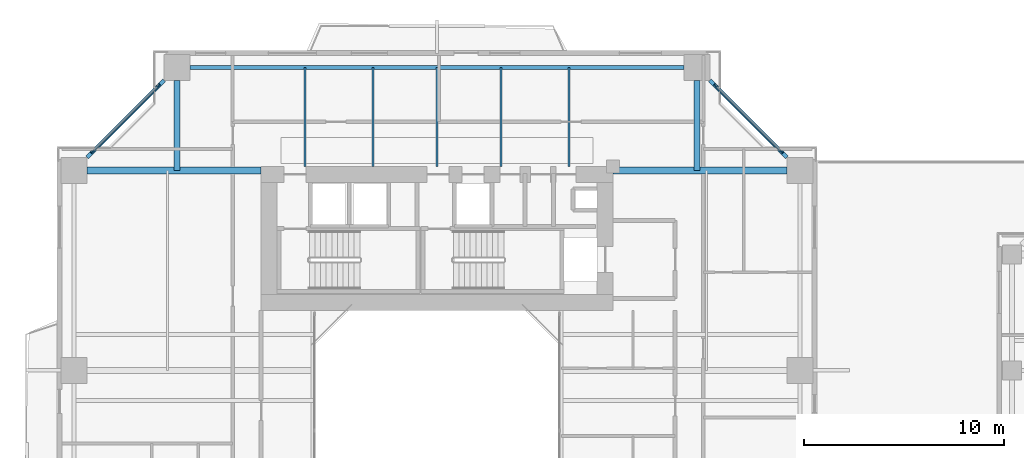
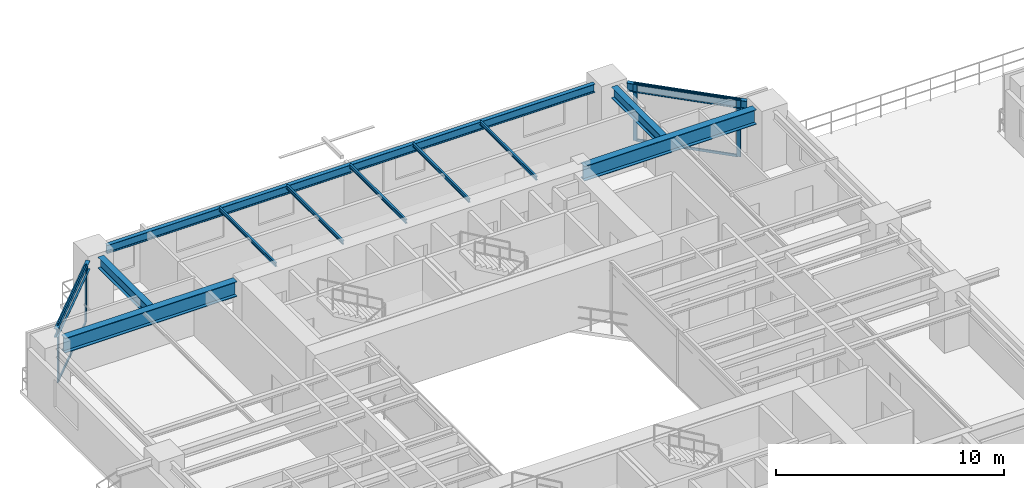
# One storey, part 7 of 22: 12 beams, 8 members, 2 elements without a shape of their own.
"""IFC4 building model written with IfcOpenShell, lengths in metres."""

from ifc_helpers import new_model, si_unit, direction, frame, origin, origin_2d, place, context, subcontext, project, spatial, rectangle, i_section, extrude, source, transform, mapped, material, layer, layer_set, material_profile, profile_set, type_object, element, aggregate, save


model = new_model("IFC4")

# Units and contexts
model_context = context("Model", 3, precision=1e-05, world=origin(), true_north=direction((0.0, 1.0)))
body_context = subcontext(model_context, "Body", "Model", "MODEL_VIEW")
ifc_project = project(units=[si_unit("LENGTHUNIT", "METRE"), si_unit("AREAUNIT", "SQUARE_METRE"), si_unit("VOLUMEUNIT", "CUBIC_METRE"), si_unit("PLANEANGLEUNIT", "RADIAN"), si_unit("MASSUNIT", "GRAM", prefix="KILO"), si_unit("THERMODYNAMICTEMPERATUREUNIT", "KELVIN"), si_unit("POWERUNIT", "WATT")], contexts=[model_context])

# Site, building, storey
site_placement = place(None, origin())
site = spatial("IfcSite", under=ifc_project, at=site_placement, CompositionType="ELEMENT")
building_placement = place(site_placement, origin())
building = spatial("IfcBuilding", under=site, at=building_placement, Name="Qiaomeng Ring Towers", CompositionType="ELEMENT")
storey_placement = place(building_placement, frame((0.0, 0.0, 23.0)))
storey = spatial("IfcBuildingStorey", under=building, at=storey_placement, Name="L05", CompositionType="ELEMENT", Elevation=23.0)

# Beams
ifc_material_1 = material(Name="Steel Q355B", Category="steel")
ifc_material_profile_1 = material_profile(ifc_material_1, i_section(OverallWidth=0.199951171875, OverallDepth=0.449951171875, WebThickness=0.009033203125, FlangeThickness=0.013916015625, FilletRadius=0.01806640625, at=origin_2d()), Name="HN 450x200x9x14")
ifc_profile_set_1 = profile_set([ifc_material_profile_1], Name="Steel Q355B")
beam_type_1 = type_object("IfcBeamType", Name="STR-BM-HN450", PredefinedType="SPANDREL", material=ifc_profile_set_1)
shared_shape_1 = source(origin(), body_context, "Body", "SweptSolid", [
    extrude(i_section(OverallWidth=0.199951171875, OverallDepth=0.449951171875, WebThickness=0.009033203125, FlangeThickness=0.013916015625, FilletRadius=0.01806640625, at=origin_2d()), origin(), (0.0, 0.0, 1.0), 24.7021484375),
])
beam_placement = place(storey_placement, frame((31.35107421875, 41.14990234375, 2.844970703125), z_axis=(-1.0, 0.0, 0.0), x_axis=(0.0, -1.0, 0.0)))
element("IfcBeam", 1, at=beam_placement, inside=storey, type_object=beam_type_1, Name="L05 beam STR-SP-L05-T1-N2-N1", PredefinedType="SPANDREL", context=body_context, shape_type="MappedRepresentation", body=[
    mapped(shared_shape_1, transform((0.0, 0.0, 0.0), x_axis=(1.0, 0.0, 0.0), y_axis=(0.0, 1.0, 0.0), z_axis=(0.0, 0.0, 1.0), scale=1.0)),
])
shared_shape_2 = source(origin(), body_context, "Body", "SweptSolid", [
    extrude(i_section(OverallWidth=0.199951171875, OverallDepth=0.449951171875, WebThickness=0.009033203125, FlangeThickness=0.013916015625, FilletRadius=0.01806640625, at=origin_2d()), origin(), (0.0, 0.0, 1.0), 5.446533203125),
])
for number, where, z_axis, x_axis, name in (
    (2, (36.500732421875, 36.6494140625, 2.844970703125), (-0.707106781187, 0.707106781187, 0.0), (-0.707106781187, -0.707106781187, 0.0), "L05 beam STR-SP-L05-T1-E4-N2"),
    (3, (5.3505859375, 40.500732421875, 2.844970703125), (-0.707106781187, -0.707106781187, 0.0), (0.707106781187, -0.707106781187, 0.0), "L05 beam STR-SP-L05-T1-N1-W4"),
):
    element("IfcBeam", number, at=place(storey_placement, frame(where, z_axis=z_axis, x_axis=x_axis)), inside=storey, type_object=beam_type_1, Name=name, PredefinedType="SPANDREL", context=body_context, shape_type="MappedRepresentation", body=[
        mapped(shared_shape_2, transform((0.0, 0.0, 0.0), x_axis=(1.0, 0.0, 0.0), y_axis=(0.0, 1.0, 0.0), z_axis=(0.0, 0.0, 1.0), scale=1.0)),
    ])
ifc_material_2 = material(Name="Steel Q390GJC", Category="steel")
ifc_material_profile_2 = material_profile(ifc_material_2, i_section(OverallWidth=0.35009765625, OverallDepth=0.800048828125, WebThickness=0.01611328125, FlangeThickness=0.028076171875, at=origin_2d()), Name="WH 800x350x16x28")
ifc_profile_set_2 = profile_set([ifc_material_profile_2], Name="Steel Q390GJC")
beam_type_2 = type_object("IfcBeamType", Name="STR-BM-WH800", PredefinedType="BEAM", material=ifc_profile_set_2)
shared_shape_3 = source(origin(), body_context, "Body", "SweptSolid", [
    extrude(i_section(OverallWidth=0.35009765625, OverallDepth=0.800048828125, WebThickness=0.01611328125, FlangeThickness=0.028076171875, at=origin_2d()), origin(), (0.0, 0.0, 1.0), 8.700927734375),
])
for number, where, z_axis, x_axis, name in (
    (4, (1.4990234375, 36.0, 2.669921875), (1.0, 0.0, 0.0), (0.0, 1.0, 0.0), "L05 beam STR-BM-L05-T1-RAD-W4"),
    (5, (27.800048828125, 36.0, 2.669921875), (1.0, 0.0, 0.0), (0.0, 1.0, 0.0), "L05 beam STR-BM-L05-T1-RAD-E4"),
):
    element("IfcBeam", number, at=place(storey_placement, frame(where, z_axis=z_axis, x_axis=x_axis)), inside=storey, type_object=beam_type_2, Name=name, PredefinedType="BEAM", context=body_context, shape_type="MappedRepresentation", body=[
        mapped(shared_shape_3, transform((0.0, 0.0, 0.0), x_axis=(1.0, 0.0, 0.0), y_axis=(0.0, 1.0, 0.0), z_axis=(0.0, 0.0, 1.0), scale=1.0)),
    ])
ifc_material_profile_3 = material_profile(ifc_material_1, i_section(OverallWidth=0.300048828125, OverallDepth=0.587890625, WebThickness=0.011962890625, FlangeThickness=0.02001953125, FilletRadius=0.028076171875, at=origin_2d()), Name="HM 588x300x12x20")
ifc_profile_set_3 = profile_set([ifc_material_profile_3], Name="Steel Q355B")
beam_type_3 = type_object("IfcBeamType", Name="STR-BM-HM588", PredefinedType="BEAM", material=ifc_profile_set_3)
shared_shape_4 = source(origin(), body_context, "Body", "SweptSolid", [
    extrude(i_section(OverallWidth=0.300048828125, OverallDepth=0.587890625, WebThickness=0.011962890625, FlangeThickness=0.02001953125, FilletRadius=0.028076171875, at=origin_2d()), origin(), (0.0, 0.0, 1.0), 4.5009765625),
])
for number, where, z_axis, x_axis, name in (
    (6, (6.0, 40.5009765625, 2.77587890625), (0.0, -1.0, 0.0), (1.0, 0.0, 0.0), "L05 beam STR-BM-L05-T1-RAD-N1"),
    (7, (32.0, 40.5009765625, 2.77587890625), (0.0, -1.0, 0.0), (1.0, 0.0, 0.0), "L05 beam STR-BM-L05-T1-RAD-N2"),
):
    element("IfcBeam", number, at=place(storey_placement, frame(where, z_axis=z_axis, x_axis=x_axis)), inside=storey, type_object=beam_type_3, Name=name, PredefinedType="BEAM", context=body_context, shape_type="MappedRepresentation", body=[
        mapped(shared_shape_4, transform((0.0, 0.0, 0.0), x_axis=(1.0, 0.0, 0.0), y_axis=(0.0, 1.0, 0.0), z_axis=(0.0, 0.0, 1.0), scale=1.0)),
    ])
ifc_material_profile_4 = material_profile(ifc_material_1, i_section(OverallWidth=0.10009765625, OverallDepth=0.199951171875, WebThickness=0.005615234375, FlangeThickness=0.008056640625, FilletRadius=0.010986328125, at=origin_2d()), Name="HN 200x100x5.5x8")
ifc_profile_set_4 = profile_set([ifc_material_profile_4], Name="Steel Q355B")
beam_type_4 = type_object("IfcBeamType", Name="STR-BM-HN200", PredefinedType="JOIST", material=ifc_profile_set_4)
shared_shape_5 = source(origin(), body_context, "Body", "SweptSolid", [
    extrude(i_section(OverallWidth=0.10009765625, OverallDepth=0.199951171875, WebThickness=0.005615234375, FlangeThickness=0.008056640625, FilletRadius=0.010986328125, at=origin_2d()), origin(), (0.0, 0.0, 1.0), 4.949951171875),
])
for number, where, z_axis, x_axis, name in (
    (8, (12.39990234375, 36.199951171875, 2.969970703125), (0.0, 1.0, 0.0), (-1.0, 0.0, 0.0), "L05 beam STR-JST-L05-T1N-1"),
    (9, (15.800048828125, 36.199951171875, 2.969970703125), (0.0, 1.0, 0.0), (-1.0, 0.0, 0.0), "L05 beam STR-JST-L05-T1N-2"),
    (10, (19.0, 36.199951171875, 2.969970703125), (0.0, 1.0, 0.0), (-1.0, 0.0, 0.0), "L05 beam STR-JST-L05-T1N-3"),
    (11, (22.199951171875, 36.199951171875, 2.969970703125), (0.0, 1.0, 0.0), (-1.0, 0.0, 0.0), "L05 beam STR-JST-L05-T1N-4"),
    (12, (25.60009765625, 36.199951171875, 2.969970703125), (0.0, 1.0, 0.0), (-1.0, 0.0, 0.0), "L05 beam STR-JST-L05-T1N-5"),
):
    element("IfcBeam", number, at=place(storey_placement, frame(where, z_axis=z_axis, x_axis=x_axis)), inside=storey, type_object=beam_type_4, Name=name, PredefinedType="JOIST", context=body_context, shape_type="MappedRepresentation", body=[
        mapped(shared_shape_5, transform((0.0, 0.0, 0.0), x_axis=(1.0, 0.0, 0.0), y_axis=(0.0, 1.0, 0.0), z_axis=(0.0, 0.0, 1.0), scale=1.0)),
    ])

# Curtain wall, members
ifc_material_3 = material(Name="Fluorocarbon dark-grey aluminium", Category="aluminium")
ifc_layer = layer(ifc_material_3, 0.159912109375, Name="Fluorocarbon dark-grey aluminium")
ifc_layer_set = layer_set([ifc_layer], Name="Fluorocarbon dark-grey aluminium")
curtain_wall_type = type_object("IfcCurtainWallType", Name="ARC-CW-2", PredefinedType="NOTDEFINED", material=ifc_layer_set)
curtain_wall_1_placement = place(storey_placement, origin())
curtain_wall_1 = element("IfcCurtainWall", 13, at=curtain_wall_1_placement, inside=storey, type_object=curtain_wall_type, Name="L05 Curtain Wall CW2", PredefinedType="NOTDEFINED")
ifc_material_profile_5 = material_profile(ifc_material_3, rectangle(XDim=0.070068359375, YDim=0.179931640625, at=origin_2d()), Name="ALU MULL 70x180")
ifc_profile_set_5 = profile_set([ifc_material_profile_5], Name="Fluorocarbon dark-grey aluminium")
member_type_1 = type_object("IfcMemberType", Name="ARC-CWM-160", PredefinedType="MULLION", material=ifc_profile_set_5)
shared_shape_6 = source(origin(), body_context, "Body", "SweptSolid", [
    extrude(rectangle(XDim=0.070068359375, YDim=0.179931640625, at=origin_2d()), origin(), (0.0, 0.0, 1.0), 3.070068359375),
])
member_1_placement = place(storey_placement, frame((36.2353515625, 36.914794921875, 0.0), z_axis=(0.0, 0.0, 1.0), x_axis=(-0.707106781187, -0.707106781187, 0.0)))
member_1 = element("IfcMember", 14, at=member_1_placement, type_object=member_type_1, Name="CW2 mullion 1", PredefinedType="MULLION", context=body_context, shape_type="MappedRepresentation", body=[
    mapped(shared_shape_6, transform((0.0, 0.0, 0.0), x_axis=(1.0, 0.0, 0.0), y_axis=(0.0, 1.0, 0.0), z_axis=(0.0, 0.0, 1.0), scale=1.0)),
])
member_2_placement = place(storey_placement, frame((32.914794921875, 40.2353515625, 0.0), z_axis=(0.0, 0.0, 1.0), x_axis=(-0.707106781187, -0.707106781187, 0.0)))
member_2 = element("IfcMember", 15, at=member_2_placement, type_object=member_type_1, Name="CW2 mullion 2", PredefinedType="MULLION", context=body_context, shape_type="MappedRepresentation", body=[
    mapped(shared_shape_6, transform((0.0, 0.0, 0.0), x_axis=(1.0, 0.0, 0.0), y_axis=(0.0, 1.0, 0.0), z_axis=(0.0, 0.0, 1.0), scale=1.0)),
])

curtain_wall_2_placement = place(storey_placement, origin())
curtain_wall_2 = element("IfcCurtainWall", 16, at=curtain_wall_2_placement, inside=storey, type_object=curtain_wall_type, Name="L05 Curtain Wall CW2", PredefinedType="NOTDEFINED")
member_3_placement = place(storey_placement, frame((5.085205078125, 40.2353515625, 0.0), z_axis=(0.0, 0.0, 1.0), x_axis=(0.707106781187, -0.707106781187, 0.0)))
member_3 = element("IfcMember", 17, at=member_3_placement, type_object=member_type_1, Name="CW2 mullion 1", PredefinedType="MULLION", context=body_context, shape_type="MappedRepresentation", body=[
    mapped(shared_shape_6, transform((0.0, 0.0, 0.0), x_axis=(1.0, 0.0, 0.0), y_axis=(0.0, 1.0, 0.0), z_axis=(0.0, 0.0, 1.0), scale=1.0)),
])
member_4_placement = place(storey_placement, frame((1.7646484375, 36.914794921875, 0.0), z_axis=(0.0, 0.0, 1.0), x_axis=(0.707106781187, -0.707106781187, 0.0)))
member_4 = element("IfcMember", 18, at=member_4_placement, type_object=member_type_1, Name="CW2 mullion 2", PredefinedType="MULLION", context=body_context, shape_type="MappedRepresentation", body=[
    mapped(shared_shape_6, transform((0.0, 0.0, 0.0), x_axis=(1.0, 0.0, 0.0), y_axis=(0.0, 1.0, 0.0), z_axis=(0.0, 0.0, 1.0), scale=1.0)),
])

# Member
ifc_material_profile_6 = material_profile(ifc_material_3, rectangle(XDim=0.06494140625, YDim=0.1298828125, at=origin_2d()), Name="ALU TRAN 65x130")
ifc_profile_set_6 = profile_set([ifc_material_profile_6], Name="Fluorocarbon dark-grey aluminium")
member_type_2 = type_object("IfcMemberType", Name="ARC-CWT-120", PredefinedType="USERDEFINED", material=ifc_profile_set_6)
shared_shape_7 = source(origin(), body_context, "Body", "SweptSolid", [
    extrude(rectangle(XDim=0.06494140625, YDim=0.1298828125, at=origin_2d()), origin(), (0.0, 0.0, 1.0), 4.6259765625),
])
member_5_placement = place(storey_placement, frame((36.21044921875, 36.939453125, 0.032470703125), z_axis=(-0.707106781187, 0.707106781187, 0.0), x_axis=(-0.707106781187, -0.707106781187, 0.0)))
member_5 = element("IfcMember", 19, at=member_5_placement, type_object=member_type_2, Name="CW2 transom 1.1", ObjectType="TRANSOM", PredefinedType="USERDEFINED", context=body_context, shape_type="MappedRepresentation", body=[
    mapped(shared_shape_7, transform((0.0, 0.0, 0.0), x_axis=(1.0, 0.0, 0.0), y_axis=(0.0, 1.0, 0.0), z_axis=(0.0, 0.0, 1.0), scale=1.0)),
])

member_6_placement = place(storey_placement, frame((36.21044921875, 36.939453125, 3.03759765625), z_axis=(-0.707106781187, 0.707106781187, 0.0), x_axis=(-0.707106781187, -0.707106781187, 0.0)))
member_6 = element("IfcMember", 20, at=member_6_placement, type_object=member_type_2, Name="CW2 transom 1.2", ObjectType="TRANSOM", PredefinedType="USERDEFINED", context=body_context, shape_type="MappedRepresentation", body=[
    mapped(shared_shape_7, transform((0.0, 0.0, 0.0), x_axis=(1.0, 0.0, 0.0), y_axis=(0.0, 1.0, 0.0), z_axis=(0.0, 0.0, 1.0), scale=1.0)),
])

aggregate(curtain_wall_1, [member_1, member_2, member_5, member_6])

member_7_placement = place(storey_placement, frame((5.060546875, 40.21044921875, 0.032470703125), z_axis=(-0.707106781187, -0.707106781187, 0.0), x_axis=(0.707106781187, -0.707106781187, 0.0)))
member_7 = element("IfcMember", 21, at=member_7_placement, type_object=member_type_2, Name="CW2 transom 1.1", ObjectType="TRANSOM", PredefinedType="USERDEFINED", context=body_context, shape_type="MappedRepresentation", body=[
    mapped(shared_shape_7, transform((0.0, 0.0, 0.0), x_axis=(1.0, 0.0, 0.0), y_axis=(0.0, 1.0, 0.0), z_axis=(0.0, 0.0, 1.0), scale=1.0)),
])

member_8_placement = place(storey_placement, frame((5.060546875, 40.21044921875, 3.03759765625), z_axis=(-0.707106781187, -0.707106781187, 0.0), x_axis=(0.707106781187, -0.707106781187, 0.0)))
member_8 = element("IfcMember", 22, at=member_8_placement, type_object=member_type_2, Name="CW2 transom 1.2", ObjectType="TRANSOM", PredefinedType="USERDEFINED", context=body_context, shape_type="MappedRepresentation", body=[
    mapped(shared_shape_7, transform((0.0, 0.0, 0.0), x_axis=(1.0, 0.0, 0.0), y_axis=(0.0, 1.0, 0.0), z_axis=(0.0, 0.0, 1.0), scale=1.0)),
])

aggregate(curtain_wall_2, [member_3, member_4, member_7, member_8])

save(model, "model.ifc")
